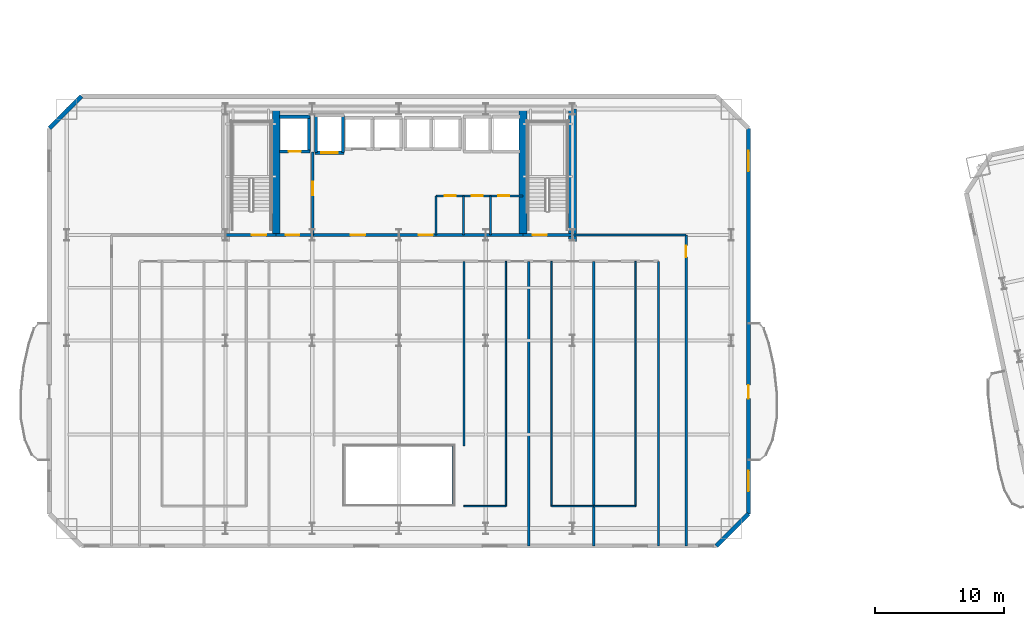
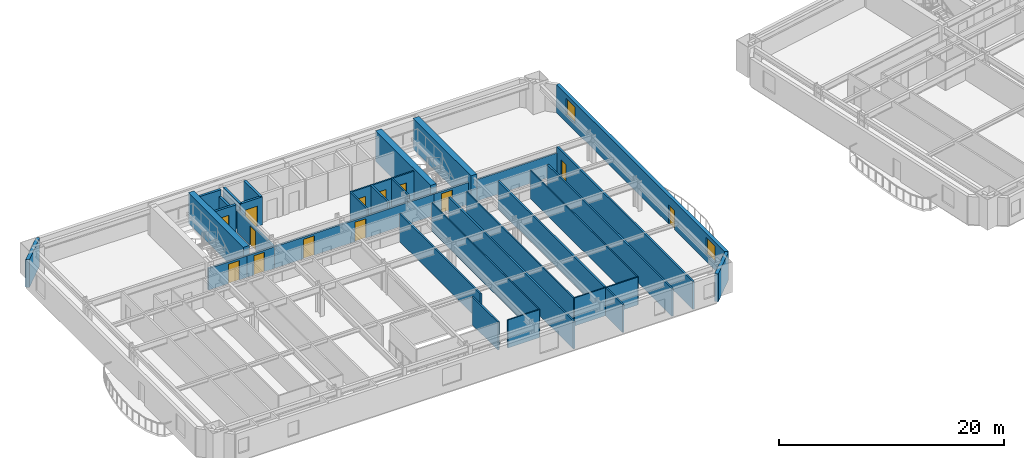
# One storey, part 6 of 17: 34 walls, 13 doors, 2 windows, 15 openings.
"""IFC4 building model written with IfcOpenShell, lengths in metres."""

import ifcopenshell
import ifcopenshell.guid

model = None  # the IFC model being written
_history = None  # IfcOwnerHistory: only IFC2X3 demands one
_inside = {}  # id of a spatial element -> (the spatial element, [elements in it])
_under = {}  # id of a project, library or spatial element -> (it, [spatial elements below it])
_declared = {}  # id of a project -> (the project, [libraries it declares])
_typed = {}  # id of a type object -> (the type object, [elements of that type])
_made_of = {}  # id of a material, layer set ... -> (it, [elements and type objects made of it])


def new_model(schema):
    """Start an empty IFC model of exactly this schema.

    Asked for "IFC4X3", IfcOpenShell would pick the latest addendum, in which some entities
    have other attributes; the version numbers below select the first issue.
    IFC2X3 requires an IfcOwnerHistory on every rooted entity: one is made here for all.
    """
    global model, _history
    if schema == "IFC4X3":
        model = ifcopenshell.file(schema_version=(4, 3, 0, 0))
    else:
        model = ifcopenshell.file(schema=schema)
    _inside.clear()
    _under.clear()
    _declared.clear()
    _typed.clear()
    _made_of.clear()
    _history = None
    if model.schema == "IFC2X3":
        org = make("IfcOrganization", Name="unknown")
        user = make(
            "IfcPersonAndOrganization",
            ThePerson=make("IfcPerson", FamilyName="unknown"),
            TheOrganization=org,
        )
        app = make(
            "IfcApplication",
            ApplicationDeveloper=org,
            Version="unknown",
            ApplicationFullName="unknown",
            ApplicationIdentifier="unknown",
        )
        _history = make(
            "IfcOwnerHistory",
            OwningUser=user,
            OwningApplication=app,
            ChangeAction="ADDED",
            CreationDate=0,
        )
    return model


def make(cls, **values):
    """One entity of the class cls with the attributes given. An attribute that is None is left unset."""
    return model.create_entity(
        cls, **{name: value for name, value in values.items() if value is not None}
    )


def rooted(cls, **values):
    """An entity with a GlobalId (a new one), such as an element, a storey or a relation."""
    return make(cls, GlobalId=ifcopenshell.guid.new(), OwnerHistory=_history, **values)


def si_unit(unit_type, name, prefix=None):
    """IfcSIUnit, for example si_unit("LENGTHUNIT", "METRE", prefix="MILLI")."""
    return make("IfcSIUnit", UnitType=unit_type, Prefix=prefix, Name=name)


def assignment(units):
    """IfcUnitAssignment: the units of a project."""
    return None if units is None else make("IfcUnitAssignment", Units=units)


def point(xyz):
    """IfcCartesianPoint."""
    return None if xyz is None else make("IfcCartesianPoint", Coordinates=xyz)


def direction(xyz):
    """IfcDirection."""
    return None if xyz is None else make("IfcDirection", DirectionRatios=xyz)


def frame(location, z_axis=None, x_axis=None):
    """IfcAxis2Placement3D, a coordinate frame: its origin and axes. An axis left out is left unset."""
    return make(
        "IfcAxis2Placement3D",
        Location=point(location),
        Axis=direction(z_axis),
        RefDirection=direction(x_axis),
    )


def frame_2d(location, x_axis=None):
    """IfcAxis2Placement2D, a coordinate frame in the plane: its origin and x axis."""
    return make(
        "IfcAxis2Placement2D", Location=point(location), RefDirection=direction(x_axis)
    )


def origin():
    """The frame at (0, 0, 0) with its axes left unset."""
    return frame((0.0, 0.0, 0.0))


def place(relative_to, where):
    """IfcLocalPlacement: puts the frame where relative to a parent placement (None: the world)."""
    return make(
        "IfcLocalPlacement", PlacementRelTo=relative_to, RelativePlacement=where
    )


def context(
    kind, dimensions, precision=None, world=None, true_north=None, identifier=None
):
    """IfcGeometricRepresentationContext, for example the 3D "Model" context."""
    return make(
        "IfcGeometricRepresentationContext",
        ContextIdentifier=identifier,
        ContextType=kind,
        CoordinateSpaceDimension=dimensions,
        Precision=precision,
        WorldCoordinateSystem=world,
        TrueNorth=true_north,
    )


def subcontext(parent, identifier, kind, view, scale=None):
    """IfcGeometricRepresentationSubContext, for example "Body" below "Model"."""
    return make(
        "IfcGeometricRepresentationSubContext",
        ContextIdentifier=identifier,
        ContextType=kind,
        ParentContext=parent,
        TargetScale=scale,
        TargetView=view,
    )


def project(units=None, contexts=None):
    """IfcProject with its units and contexts."""
    return rooted(
        "IfcProject",
        Name="project",
        RepresentationContexts=contexts,
        UnitsInContext=assignment(units),
    )


def spatial(cls, under=None, at=None, **own):
    """A site, building, storey or space (cls), placed at a placement, below another one or the project."""
    s = rooted(cls, ObjectPlacement=at, **own)
    if under is not None:
        _under.setdefault(under.id(), (under, []))[1].append(s)
    return s


def profile(cls, at=None, kind="AREA", **sizes):
    """A parametric profile (cls). Its sizes go by their IFC names, for example OverallWidth=200.0."""
    return make(cls, ProfileType=kind, Position=at, **sizes)


def rectangle(**sizes):
    """IfcRectangleProfileDef."""
    return profile("IfcRectangleProfileDef", **sizes)


def extrude(swept, where, along, depth):
    """IfcExtrudedAreaSolid: the profile swept, set in the frame where, extruded along a direction by depth."""
    return make(
        "IfcExtrudedAreaSolid",
        SweptArea=swept,
        Position=where,
        ExtrudedDirection=direction(along),
        Depth=depth,
    )


def shape(context_of_items, identifier, shape_type, items):
    """IfcShapeRepresentation: the items that make up one representation, for example the "Body"."""
    return make(
        "IfcShapeRepresentation",
        ContextOfItems=context_of_items,
        RepresentationIdentifier=identifier,
        RepresentationType=shape_type,
        Items=items,
    )


def material(Name=None, Category=None):
    """IfcMaterial."""
    return make("IfcMaterial", Name=Name, Category=Category)


def layer(
    of_material, thickness, ventilated=None, Name=None, Category=None, Priority=None
):
    """IfcMaterialLayer: one layer of a wall or slab, of a material (None: an air gap)."""
    return make(
        "IfcMaterialLayer",
        Material=of_material,
        LayerThickness=thickness,
        IsVentilated=ventilated,
        Name=Name,
        Category=Category,
        Priority=Priority,
    )


def layer_set(layers, Name=None):
    """IfcMaterialLayerSet."""
    return make("IfcMaterialLayerSet", MaterialLayers=layers, LayerSetName=Name)


def made_of(thing, what):
    """Note that an element or type object is made of a material, layer set ...; save() writes the relation."""
    if what is not None:
        _made_of.setdefault(what.id(), (what, []))[1].append(thing)
    return thing


def type_object(cls, material=None, **own):
    """A type object (cls), such as IfcWallType, which elements share."""
    return made_of(rooted(cls, **own), material)


def element(
    cls,
    number,
    at=None,
    inside=None,
    cuts=None,
    type_object=None,
    material=None,
    context=None,
    identifier="Body",
    shape_type=None,
    held_by="IfcProductDefinitionShape",
    body=None,
    shapes=None,
    **own,
):
    """One element of the class cls, such as IfcWall. Its Tag is "e" and its number.

    at: its placement. inside: the storey or other place that contains it. cuts: it is an
    opening in that element (IfcRelVoidsElement). A single representation is given by context,
    identifier, shape_type and body (its items); several are given by shapes. held_by: the class
    of the entity that holds the representations. save() writes the other relations.
    """
    e = rooted(cls, Tag="e%d" % number, ObjectPlacement=at, **own)
    if body is not None:
        shapes = [shape(context, identifier, shape_type, body)]
    if shapes is not None:
        e.Representation = make(held_by, Representations=shapes)
    if inside is not None:
        _inside.setdefault(inside.id(), (inside, []))[1].append(e)
    if cuts is not None:
        rooted(
            "IfcRelVoidsElement", RelatingBuildingElement=cuts, RelatedOpeningElement=e
        )
    if type_object is not None:
        _typed.setdefault(type_object.id(), (type_object, []))[1].append(e)
    return made_of(e, material)


def fill(opening, filler):
    """IfcRelFillsElement: the door or window that sits in an opening."""
    return rooted(
        "IfcRelFillsElement",
        RelatingOpeningElement=opening,
        RelatedBuildingElement=filler,
    )


def aggregate(whole, parts):
    """IfcRelAggregates: a whole, such as a stair, and the parts it consists of."""
    return rooted("IfcRelAggregates", RelatingObject=whole, RelatedObjects=parts)


def save(model, path):
    """Write the relations noted so far, then the file.

    IfcRelAggregates (storeys below a building ...), IfcRelContainedInSpatialStructure (elements
    in a storey), IfcRelDefinesByType, IfcRelAssociatesMaterial and IfcRelDeclares: one each for
    every whole, place, type object, material and project.
    """
    for whole, parts in _under.values():
        aggregate(whole, parts)
    for where, things in _inside.values():
        rooted(
            "IfcRelContainedInSpatialStructure",
            RelatedElements=things,
            RelatingStructure=where,
        )
    for kind, things in _typed.values():
        rooted("IfcRelDefinesByType", RelatedObjects=things, RelatingType=kind)
    for what, things in _made_of.values():
        rooted("IfcRelAssociatesMaterial", RelatedObjects=things, RelatingMaterial=what)
    for by, libraries in _declared.values():
        rooted("IfcRelDeclares", RelatingContext=by, RelatedDefinitions=libraries)
    model.write(path)


model = new_model("IFC4")

# Units and contexts
model_context = context("Model", 3, precision=1e-05, world=origin(), true_north=direction((0.0, 1.0)))
body_context = subcontext(model_context, "Body", "Model", "MODEL_VIEW")
ifc_project = project(units=[si_unit("LENGTHUNIT", "METRE"), si_unit("AREAUNIT", "SQUARE_METRE"), si_unit("VOLUMEUNIT", "CUBIC_METRE"), si_unit("PLANEANGLEUNIT", "RADIAN"), si_unit("MASSUNIT", "GRAM", prefix="KILO")], contexts=[model_context])

# Site, building, storey
site_placement = place(None, origin())
site = spatial("IfcSite", under=ifc_project, at=site_placement, CompositionType="ELEMENT")
building_placement = place(site_placement, origin())
building = spatial("IfcBuilding", under=site, at=building_placement, Name="Haevon Station Towers", CompositionType="ELEMENT")
storey_placement = place(building_placement, frame((0.0, 0.0, 33.89990234375)))
storey = spatial("IfcBuildingStorey", under=building, at=storey_placement, Name="L07", CompositionType="ELEMENT", Elevation=33.89990234375)

# Wall, opening, door
ifc_material_1 = material(Name="Gypsum board on steel stud", Category="steel")
ifc_layer_1 = layer(ifc_material_1, 0.179931640625)
ifc_layer_set_1 = layer_set([ifc_layer_1], Name="Gypsum board on steel stud")
wall_type_1 = type_object("IfcWallType", Name="WL-ACU180", PredefinedType="PARTITIONING", material=ifc_layer_set_1)
wall_1_placement = place(storey_placement, frame((59.85009765625, 14.0, 0.0), z_axis=(0.0, 0.0, 1.0), x_axis=(0.0, 1.0, 0.0)))
wall_1 = element("IfcWall", 1, at=wall_1_placement, inside=storey, type_object=wall_type_1, Name="WL-T1PT-L07-06", PredefinedType="PARTITIONING", context=body_context, shape_type="SweptSolid", body=[
    extrude(rectangle(XDim=24.199951171875, YDim=0.179931640625, at=frame_2d((12.10009765625, 0.0))), origin(), (0.0, 0.0, 1.0), 3.030029296875),
])
opening_1_placement = place(wall_1_placement, frame((22.469970703125, 0.0, 0.0)))
opening_1 = element("IfcOpeningElement", 2, at=opening_1_placement, cuts=wall_1, Name="Opening DR-WL-T1PT-L07-06-01", PredefinedType="OPENING", context=body_context, shape_type="SweptSolid", body=[
    extrude(rectangle(XDim=0.89990234375, YDim=2.050048828125, at=frame_2d((0.449951171875, 1.02490234375))), frame((0.0, 0.099853515625, 0.0), z_axis=(0.0, -1.0, 0.0), x_axis=(1.0, 0.0, 0.0)), (0.0, 0.0, 1.0), 0.199951171875),
])
ifc_material_2 = material(Name="Engineered oak timber", Category="wood")
door_type_1 = type_object("IfcDoorType", Name="DR-INT-900", OperationType="NOTDEFINED", PredefinedType="DOOR", material=ifc_material_2)
door_1_placement = place(opening_1_placement, origin())
door_1 = element("IfcDoor", 3, at=door_1_placement, inside=storey, type_object=door_type_1, Name="L07 Tower 1 Room Door 6-1", OperationType="SINGLE_SWING_RIGHT", OverallHeight=2.050048828125, OverallWidth=0.89990234375, PredefinedType="DOOR", context=body_context, shape_type="SweptSolid", body=[
    extrude(rectangle(XDim=0.89990234375, YDim=2.050048828125, at=frame_2d((0.449951171875, 1.02490234375))), frame((0.0, 0.02490234375, 0.0), z_axis=(0.0, -1.0, 0.0), x_axis=(1.0, 0.0, 0.0)), (0.0, 0.0, 1.0), 0.050048828125),
])
fill(opening_1, door_1)

# Walls
for number, where, z_axis, x_axis, name in (
    (4, (47.60009765625, 14.0, 0.0), (0.0, 0.0, 1.0), (0.0, 1.0, 0.0), "WL-T1PT-L07-24"),
    (5, (52.64990234375, 14.0, 0.0), (0.0, 0.0, 1.0), (0.0, 1.0, 0.0), "WL-T1PT-L07-27"),
):
    element("IfcWall", number, at=place(storey_placement, frame(where, z_axis=z_axis, x_axis=x_axis)), inside=storey, type_object=wall_type_1, Name=name, PredefinedType="PARTITIONING", context=body_context, shape_type="SweptSolid", body=[
        extrude(rectangle(XDim=22.14990234375, YDim=0.179931640625, at=frame_2d((11.074951171875, 0.0))), origin(), (0.0, 0.0, 1.0), 3.030029296875),
    ])

# Wall, opening, door
ifc_layer_2 = layer(ifc_material_1, 0.199951171875)
ifc_layer_set_2 = layer_set([ifc_layer_2], Name="Gypsum board on steel stud")
wall_type_2 = type_object("IfcWallType", Name="WL-COR200", PredefinedType="PARTITIONING", material=ifc_layer_set_2)
wall_2_placement = place(storey_placement, frame((24.0, 38.199951171875, 0.0), z_axis=(0.0, 0.0, 1.0), x_axis=(1.0, 0.0, 0.0)))
wall_2 = element("IfcWall", 6, at=wall_2_placement, inside=storey, type_object=wall_type_2, Name="WL-ST-ST1-L07", PredefinedType="PARTITIONING", context=body_context, shape_type="SweptSolid", body=[
    extrude(rectangle(XDim=3.949951171875, YDim=0.199951171875, at=frame_2d((1.97509765625, 0.0))), origin(), (0.0, 0.0, 1.0), 2.330078125),
])
opening_2_placement = place(wall_2_placement, frame((2.050048828125, 0.0, 0.0)))
opening_2 = element("IfcOpeningElement", 7, at=opening_2_placement, cuts=wall_2, Name="Opening DR-ST-ST1-L07", PredefinedType="OPENING", context=body_context, shape_type="SweptSolid", body=[
    extrude(rectangle(XDim=1.1201171875, YDim=2.10009765625, at=frame_2d((0.56005859375, 1.050048828125))), frame((0.0, 0.10986328125, 0.0), z_axis=(0.0, -1.0, 0.0), x_axis=(1.0, 0.0, 0.0)), (0.0, 0.0, 1.0), 0.219970703125),
])
door_type_2 = type_object("IfcDoorType", Name="DR-ST-1120", OperationType="NOTDEFINED", PredefinedType="DOOR", material=ifc_material_2)
door_2_placement = place(opening_2_placement, origin())
door_2 = element("IfcDoor", 8, at=door_2_placement, inside=storey, type_object=door_type_2, Name="L07 Escape Stair ST1 Fire Door", OperationType="SINGLE_SWING_RIGHT", OverallHeight=2.10009765625, OverallWidth=1.1201171875, PredefinedType="DOOR", context=body_context, shape_type="SweptSolid", body=[
    extrude(rectangle(XDim=1.1201171875, YDim=2.10009765625, at=frame_2d((0.56005859375, 1.050048828125))), frame((0.0, 0.02490234375, 0.0), z_axis=(0.0, -1.0, 0.0), x_axis=(1.0, 0.0, 0.0)), (0.0, 0.0, 1.0), 0.050048828125),
])
fill(opening_2, door_2)

wall_3_placement = place(storey_placement, frame((47.14990234375, 38.199951171875, 0.0), z_axis=(0.0, 0.0, 1.0), x_axis=(1.0, 0.0, 0.0)))
wall_3 = element("IfcWall", 9, at=wall_3_placement, inside=storey, type_object=wall_type_2, Name="WL-ST-ST2-L07", PredefinedType="PARTITIONING", context=body_context, shape_type="SweptSolid", body=[
    extrude(rectangle(XDim=3.85009765625, YDim=0.199951171875, at=frame_2d((1.925048828125, 0.0))), origin(), (0.0, 0.0, 1.0), 2.330078125),
])
opening_3_placement = place(wall_3_placement, frame((0.75, 0.0, 0.0)))
opening_3 = element("IfcOpeningElement", 10, at=opening_3_placement, cuts=wall_3, Name="Opening DR-ST-ST2-L07", PredefinedType="OPENING", context=body_context, shape_type="SweptSolid", body=[
    extrude(rectangle(XDim=1.1201171875, YDim=2.10009765625, at=frame_2d((0.56005859375, 1.050048828125))), frame((0.0, 0.10986328125, 0.0), z_axis=(0.0, -1.0, 0.0), x_axis=(1.0, 0.0, 0.0)), (0.0, 0.0, 1.0), 0.219970703125),
])
door_3_placement = place(opening_3_placement, origin())
door_3 = element("IfcDoor", 11, at=door_3_placement, inside=storey, type_object=door_type_2, Name="L07 Escape Stair ST2 Fire Door", OperationType="SINGLE_SWING_LEFT", OverallHeight=2.10009765625, OverallWidth=1.1201171875, PredefinedType="DOOR", context=body_context, shape_type="SweptSolid", body=[
    extrude(rectangle(XDim=1.1201171875, YDim=2.10009765625, at=frame_2d((0.56005859375, 1.050048828125))), frame((0.0, 0.02490234375, 0.0), z_axis=(0.0, -1.0, 0.0), x_axis=(1.0, 0.0, 0.0)), (0.0, 0.0, 1.0), 0.050048828125),
])
fill(opening_3, door_3)

wall_4_placement = place(storey_placement, frame((30.800048828125, 38.199951171875, 0.0), z_axis=(0.0, 0.0, 1.0), x_axis=(0.0, 1.0, 0.0)))
wall_4 = element("IfcWall", 12, at=wall_4_placement, inside=storey, type_object=wall_type_2, Name="WL-T1FFL-L07-E", PredefinedType="PARTITIONING", context=body_context, shape_type="SweptSolid", body=[
    extrude(rectangle(XDim=6.449951171875, YDim=0.199951171875, at=frame_2d((3.22509765625, 0.0))), origin(), (0.0, 0.0, 1.0), 2.330078125),
])
opening_4_placement = place(wall_4_placement, frame((3.10009765625, 0.0, 0.0)))
opening_4 = element("IfcOpeningElement", 13, at=opening_4_placement, cuts=wall_4, Name="Opening DR-T1FFL-L07-E", PredefinedType="OPENING", context=body_context, shape_type="SweptSolid", body=[
    extrude(rectangle(XDim=1.050048828125, YDim=2.10009765625, at=frame_2d((0.52490234375, 1.050048828125))), frame((0.0, 0.10986328125, 0.0), z_axis=(0.0, -1.0, 0.0), x_axis=(1.0, 0.0, 0.0)), (0.0, 0.0, 1.0), 0.219970703125),
])
door_type_3 = type_object("IfcDoorType", Name="DR-FD60-1050", OperationType="NOTDEFINED", PredefinedType="DOOR", material=ifc_material_2)
door_4_placement = place(opening_4_placement, origin())
door_4 = element("IfcDoor", 14, at=door_4_placement, inside=storey, type_object=door_type_3, Name="L07 Tower 1 Firefighting Lift Lobby Door E", OperationType="SINGLE_SWING_RIGHT", OverallHeight=2.10009765625, OverallWidth=1.050048828125, PredefinedType="DOOR", context=body_context, shape_type="SweptSolid", body=[
    extrude(rectangle(XDim=1.050048828125, YDim=2.10009765625, at=frame_2d((0.52490234375, 1.050048828125))), frame((0.0, 0.02490234375, 0.0), z_axis=(0.0, -1.0, 0.0), x_axis=(1.0, 0.0, 0.0)), (0.0, 0.0, 1.0), 0.050048828125),
])
fill(opening_4, door_4)

wall_5_placement = place(storey_placement, frame((27.949951171875, 38.199951171875, 0.0), z_axis=(0.0, 0.0, 1.0), x_axis=(1.0, 0.0, 0.0)))
wall_5 = element("IfcWall", 15, at=wall_5_placement, inside=storey, type_object=wall_type_2, Name="WL-T1FFL-L07-S", PredefinedType="PARTITIONING", context=body_context, shape_type="SweptSolid", body=[
    extrude(rectangle(XDim=2.85009765625, YDim=0.199951171875, at=frame_2d((1.425048828125, 0.0))), origin(), (0.0, 0.0, 1.0), 2.330078125),
])
opening_5_placement = place(wall_5_placement, frame((0.75, 0.0, 0.0)))
opening_5 = element("IfcOpeningElement", 16, at=opening_5_placement, cuts=wall_5, Name="Opening DR-T1FFL-L07-S", PredefinedType="OPENING", context=body_context, shape_type="SweptSolid", body=[
    extrude(rectangle(XDim=1.050048828125, YDim=2.10009765625, at=frame_2d((0.52490234375, 1.050048828125))), frame((0.0, 0.10986328125, 0.0), z_axis=(0.0, -1.0, 0.0), x_axis=(1.0, 0.0, 0.0)), (0.0, 0.0, 1.0), 0.219970703125),
])
door_5_placement = place(opening_5_placement, origin())
door_5 = element("IfcDoor", 17, at=door_5_placement, inside=storey, type_object=door_type_3, Name="L07 Tower 1 Firefighting Lift Lobby Door S", OperationType="SINGLE_SWING_LEFT", OverallHeight=2.10009765625, OverallWidth=1.050048828125, PredefinedType="DOOR", context=body_context, shape_type="SweptSolid", body=[
    extrude(rectangle(XDim=1.050048828125, YDim=2.10009765625, at=frame_2d((0.52490234375, 1.050048828125))), frame((0.0, 0.02490234375, 0.0), z_axis=(0.0, -1.0, 0.0), x_axis=(1.0, 0.0, 0.0)), (0.0, 0.0, 1.0), 0.050048828125),
])
fill(opening_5, door_5)

# Wall, openings, doors
wall_6_placement = place(storey_placement, frame((30.800048828125, 38.199951171875, 0.0), z_axis=(0.0, 0.0, 1.0), x_axis=(1.0, 0.0, 0.0)))
wall_6 = element("IfcWall", 18, at=wall_6_placement, inside=storey, type_object=wall_type_2, Name="WL-T1CLB-L07", PredefinedType="PARTITIONING", context=body_context, shape_type="SweptSolid", body=[
    extrude(rectangle(XDim=16.349853515625, YDim=0.199951171875, at=frame_2d((8.1748046875, 0.0))), origin(), (0.0, 0.0, 1.0), 2.330078125),
])
opening_6_placement = place(wall_6_placement, frame((2.949951171875, 0.0, 0.0)))
opening_6 = element("IfcOpeningElement", 19, at=opening_6_placement, cuts=wall_6, Name="Opening DR-T1CLB-L07-1", PredefinedType="OPENING", context=body_context, shape_type="SweptSolid", body=[
    extrude(rectangle(XDim=1.1201171875, YDim=2.10009765625, at=frame_2d((0.56005859375, 1.050048828125))), frame((0.0, 0.10986328125, 0.0), z_axis=(0.0, -1.0, 0.0), x_axis=(1.0, 0.0, 0.0)), (0.0, 0.0, 1.0), 0.219970703125),
])
opening_7_placement = place(wall_6_placement, frame((8.22998046875, 0.0, 0.0)))
opening_7 = element("IfcOpeningElement", 20, at=opening_7_placement, cuts=wall_6, Name="Opening DR-T1CLB-L07-2", PredefinedType="OPENING", context=body_context, shape_type="SweptSolid", body=[
    extrude(rectangle(XDim=1.1201171875, YDim=2.10009765625, at=frame_2d((0.56005859375, 1.050048828125))), frame((0.0, 0.10986328125, 0.0), z_axis=(0.0, -1.0, 0.0), x_axis=(1.0, 0.0, 0.0)), (0.0, 0.0, 1.0), 0.219970703125),
])
door_6_placement = place(opening_6_placement, origin())
door_6 = element("IfcDoor", 21, at=door_6_placement, inside=storey, type_object=door_type_2, Name="L07 Tower 1 Core Lift Lobby Door 1", OperationType="SINGLE_SWING_RIGHT", OverallHeight=2.10009765625, OverallWidth=1.1201171875, PredefinedType="DOOR", context=body_context, shape_type="SweptSolid", body=[
    extrude(rectangle(XDim=1.1201171875, YDim=2.10009765625, at=frame_2d((0.56005859375, 1.050048828125))), frame((0.0, 0.02490234375, 0.0), z_axis=(0.0, -1.0, 0.0), x_axis=(1.0, 0.0, 0.0)), (0.0, 0.0, 1.0), 0.050048828125),
])
fill(opening_6, door_6)
door_7_placement = place(opening_7_placement, origin())
door_7 = element("IfcDoor", 22, at=door_7_placement, inside=storey, type_object=door_type_2, Name="L07 Tower 1 Core Lift Lobby Door 2", OperationType="SINGLE_SWING_LEFT", OverallHeight=2.10009765625, OverallWidth=1.1201171875, PredefinedType="DOOR", context=body_context, shape_type="SweptSolid", body=[
    extrude(rectangle(XDim=1.1201171875, YDim=2.10009765625, at=frame_2d((0.56005859375, 1.050048828125))), frame((0.0, 0.02490234375, 0.0), z_axis=(0.0, -1.0, 0.0), x_axis=(1.0, 0.0, 0.0)), (0.0, 0.0, 1.0), 0.050048828125),
])
fill(opening_7, door_7)

# Walls
ifc_material_3 = material(Name="Concrete C60/75", Category="concrete")
ifc_layer_3 = layer(ifc_material_3, 0.60009765625)
ifc_layer_set_3 = layer_set([ifc_layer_3], Name="Concrete C60/75")
wall_type_3 = type_object("IfcWallType", Name="WL-CR600", PredefinedType="SHEAR", material=ifc_layer_set_3)
wall_7_placement = place(storey_placement, frame((51.0, 37.679931640625, 0.0), z_axis=(0.0, 0.0, 1.0), x_axis=(0.0, 1.0, 0.0)))
element("IfcWall", 23, at=wall_7_placement, inside=storey, type_object=wall_type_3, Name="WL-T1CR-L07-E", PredefinedType="SHEAR", context=body_context, shape_type="SweptSolid", body=[
    extrude(rectangle(XDim=10.320068359375, YDim=0.60009765625, at=frame_2d((5.16015625, 0.0))), origin(), (0.0, 0.0, 1.0), 3.300048828125),
])
for number, where, z_axis, x_axis, name in (
    (24, (27.949951171875, 38.199951171875, 0.0), (0.0, 0.0, 1.0), (0.0, 1.0, 0.0), "WL-T1CR-L07-M1"),
    (25, (47.14990234375, 38.199951171875, 0.0), (0.0, 0.0, 1.0), (0.0, 1.0, 0.0), "WL-T1CR-L07-M2"),
):
    element("IfcWall", number, at=place(storey_placement, frame(where, z_axis=z_axis, x_axis=x_axis)), inside=storey, type_object=wall_type_3, Name=name, PredefinedType="SHEAR", context=body_context, shape_type="SweptSolid", body=[
        extrude(rectangle(XDim=9.800048828125, YDim=0.60009765625, at=frame_2d((4.89990234375, 0.0))), origin(), (0.0, 0.0, 1.0), 3.300048828125),
    ])
ifc_material_4 = material(Name="Precast concrete C45/55", Category="concrete")
ifc_layer_4 = layer(ifc_material_4, 0.340087890625)
ifc_layer_set_4 = layer_set([ifc_layer_4], Name="Precast concrete C45/55")
wall_type_4 = type_object("IfcWallType", Name="WL-EXT-PIER340", PredefinedType="SOLIDWALL", material=ifc_layer_set_4)
wall_8_placement = place(storey_placement, frame((10.300048828125, 46.5, 0.0), z_axis=(0.0, 0.0, 1.0), x_axis=(0.707106781187, 0.707106781187, 0.0)))
element("IfcWall", 26, at=wall_8_placement, inside=storey, type_object=wall_type_4, Name="WL-T1-L07-NWC", PredefinedType="SOLIDWALL", context=body_context, shape_type="SweptSolid", body=[
    extrude(rectangle(XDim=3.53564453125, YDim=0.340087890625, at=frame_2d((1.767822265625, 0.0))), origin(), (0.0, 0.0, 1.0), 3.030029296875),
])

# Wall, openings, door, windows
wall_9_placement = place(storey_placement, frame((64.699951171875, 46.5, 0.0), z_axis=(0.0, 0.0, 1.0), x_axis=(0.0, -1.0, 0.0)))
wall_9 = element("IfcWall", 27, at=wall_9_placement, inside=storey, type_object=wall_type_4, Name="WL-T1-L07-E", PredefinedType="SOLIDWALL", context=body_context, shape_type="SweptSolid", body=[
    extrude(rectangle(XDim=30.0, YDim=0.340087890625, at=frame_2d((15.0, 0.0))), origin(), (0.0, 0.0, 1.0), 3.030029296875),
])
opening_8_placement = place(wall_9_placement, frame((19.97509765625, 0.0, 0.0)))
opening_8 = element("IfcOpeningElement", 28, at=opening_8_placement, cuts=wall_9, Name="Opening DR-T1-SCAL-L07-E", PredefinedType="OPENING", context=body_context, shape_type="SweptSolid", body=[
    extrude(rectangle(XDim=1.050048828125, YDim=2.10009765625, at=frame_2d((0.52490234375, 1.050048828125))), frame((0.0, 0.179931640625, 0.0), z_axis=(0.0, -1.0, 0.0), x_axis=(1.0, 0.0, 0.0)), (0.0, 0.0, 1.0), 0.360107421875),
])
opening_9_placement = place(wall_9_placement, frame((1.757080078125, 0.0, 0.800048828125)))
opening_9 = element("IfcOpeningElement", 29, at=opening_9_placement, cuts=wall_9, Name="Opening WN-END160", PredefinedType="OPENING", context=body_context, shape_type="SweptSolid", body=[
    extrude(rectangle(XDim=1.60009765625, YDim=1.800048828125, at=frame_2d((0.800048828125, 0.89990234375))), frame((0.0, 0.179931640625, 0.0), z_axis=(0.0, -1.0, 0.0), x_axis=(1.0, 0.0, 0.0)), (0.0, 0.0, 1.0), 0.360107421875),
])
opening_10_placement = place(wall_9_placement, frame((26.642822265625, 0.0, 0.800048828125)))
opening_10 = element("IfcOpeningElement", 30, at=opening_10_placement, cuts=wall_9, Name="Opening WN-END160", PredefinedType="OPENING", context=body_context, shape_type="SweptSolid", body=[
    extrude(rectangle(XDim=1.60009765625, YDim=1.800048828125, at=frame_2d((0.800048828125, 0.89990234375))), frame((0.0, 0.179931640625, 0.0), z_axis=(0.0, -1.0, 0.0), x_axis=(1.0, 0.0, 0.0)), (0.0, 0.0, 1.0), 0.360107421875),
])
ifc_material_5 = material(Name="Thermally broken anodised aluminium and laminated safety glass", Category="aluminium")
door_type_4 = type_object("IfcDoorType", Name="DR-BALC-1050", OperationType="NOTDEFINED", PredefinedType="DOOR", material=ifc_material_5)
door_8_placement = place(opening_8_placement, origin())
door_8 = element("IfcDoor", 31, at=door_8_placement, inside=storey, type_object=door_type_4, Name="Tower 1 L07 East Scalloped Balcony Door", OperationType="SINGLE_SWING_LEFT", OverallHeight=2.10009765625, OverallWidth=1.050048828125, PredefinedType="DOOR", context=body_context, shape_type="SweptSolid", body=[
    extrude(rectangle(XDim=1.050048828125, YDim=2.10009765625, at=frame_2d((0.52490234375, 1.050048828125))), frame((0.0, 0.02490234375, 0.0), z_axis=(0.0, -1.0, 0.0), x_axis=(1.0, 0.0, 0.0)), (0.0, 0.0, 1.0), 0.050048828125),
])
fill(opening_8, door_8)
ifc_material_6 = material(Name="Low-E triple glazing in thermally broken aluminium", Category="aluminium")
window_type = type_object("IfcWindowType", Name="WN-END160", PartitioningType="SINGLE_PANEL", PredefinedType="WINDOW", material=ifc_material_6)
window_1_placement = place(opening_9_placement, origin())
window_1 = element("IfcWindow", 32, at=window_1_placement, inside=storey, type_object=window_type, Name="WN-T1-L07-E01", OverallHeight=1.800048828125, OverallWidth=1.60009765625, PartitioningType="SINGLE_PANEL", PredefinedType="WINDOW", context=body_context, shape_type="SweptSolid", body=[
    extrude(rectangle(XDim=1.60009765625, YDim=1.800048828125, at=frame_2d((0.800048828125, 0.89990234375))), frame((0.0, 0.030029296875, 0.0), z_axis=(0.0, -1.0, 0.0), x_axis=(1.0, 0.0, 0.0)), (0.0, 0.0, 1.0), 0.06005859375),
])
fill(opening_9, window_1)
window_2_placement = place(opening_10_placement, origin())
window_2 = element("IfcWindow", 33, at=window_2_placement, inside=storey, type_object=window_type, Name="WN-T1-L07-E02", OverallHeight=1.800048828125, OverallWidth=1.60009765625, PartitioningType="SINGLE_PANEL", PredefinedType="WINDOW", context=body_context, shape_type="SweptSolid", body=[
    extrude(rectangle(XDim=1.60009765625, YDim=1.800048828125, at=frame_2d((0.800048828125, 0.89990234375))), frame((0.0, 0.030029296875, 0.0), z_axis=(0.0, -1.0, 0.0), x_axis=(1.0, 0.0, 0.0)), (0.0, 0.0, 1.0), 0.06005859375),
])
fill(opening_10, window_2)

# Walls
wall_10_placement = place(storey_placement, frame((64.699951171875, 16.5, 0.0), z_axis=(0.0, 0.0, 1.0), x_axis=(-0.707106781187, -0.707106781187, 0.0)))
element("IfcWall", 34, at=wall_10_placement, inside=storey, type_object=wall_type_4, Name="WL-T1-L07-SEC", PredefinedType="SOLIDWALL", context=body_context, shape_type="SweptSolid", body=[
    extrude(rectangle(XDim=3.53564453125, YDim=0.340087890625, at=frame_2d((1.767822265625, 0.0))), origin(), (0.0, 0.0, 1.0), 3.030029296875),
])
ifc_layer_5 = layer(ifc_material_1, 0.125)
ifc_layer_set_5 = layer_set([ifc_layer_5], Name="Gypsum board on steel stud")
wall_type_5 = type_object("IfcWallType", Name="WL-PRT125", PredefinedType="PARTITIONING", material=ifc_layer_set_5)
wall_11_placement = place(storey_placement, frame((42.550048828125, 17.10009765625, 0.0), z_axis=(0.0, 0.0, 1.0), x_axis=(1.0, 0.0, 0.0)))
element("IfcWall", 35, at=wall_11_placement, inside=storey, type_object=wall_type_5, Name="WL-T1PT-L07-22", PredefinedType="PARTITIONING", context=body_context, shape_type="SweptSolid", body=[
    extrude(rectangle(XDim=3.27001953125, YDim=0.125, at=frame_2d((1.635009765625, 0.0))), origin(), (0.0, 0.0, 1.0), 3.030029296875),
])
wall_12_placement = place(storey_placement, frame((45.820068359375, 17.10009765625, 0.0), z_axis=(0.0, 0.0, 1.0), x_axis=(0.0, 1.0, 0.0)))
element("IfcWall", 36, at=wall_12_placement, inside=storey, type_object=wall_type_5, Name="WL-T1PT-L07-23", PredefinedType="PARTITIONING", context=body_context, shape_type="SweptSolid", body=[
    extrude(rectangle(XDim=19.0498046875, YDim=0.125, at=frame_2d((9.52490234375, 0.0))), origin(), (0.0, 0.0, 1.0), 3.030029296875),
])
wall_13_placement = place(storey_placement, frame((49.3798828125, 17.10009765625, 0.0), z_axis=(0.0, 0.0, 1.0), x_axis=(1.0, 0.0, 0.0)))
element("IfcWall", 37, at=wall_13_placement, inside=storey, type_object=wall_type_5, Name="WL-T1PT-L07-25", PredefinedType="PARTITIONING", context=body_context, shape_type="SweptSolid", body=[
    extrude(rectangle(XDim=3.27001953125, YDim=0.125, at=frame_2d((1.635009765625, 0.0))), origin(), (0.0, 0.0, 1.0), 3.030029296875),
])
wall_14_placement = place(storey_placement, frame((49.3798828125, 17.10009765625, 0.0), z_axis=(0.0, 0.0, 1.0), x_axis=(0.0, 1.0, 0.0)))
element("IfcWall", 38, at=wall_14_placement, inside=storey, type_object=wall_type_5, Name="WL-T1PT-L07-26", PredefinedType="PARTITIONING", context=body_context, shape_type="SweptSolid", body=[
    extrude(rectangle(XDim=19.0498046875, YDim=0.125, at=frame_2d((9.52490234375, 0.0))), origin(), (0.0, 0.0, 1.0), 3.030029296875),
])
wall_15_placement = place(storey_placement, frame((52.64990234375, 17.10009765625, 0.0), z_axis=(0.0, 0.0, 1.0), x_axis=(1.0, 0.0, 0.0)))
element("IfcWall", 39, at=wall_15_placement, inside=storey, type_object=wall_type_5, Name="WL-T1PT-L07-28", PredefinedType="PARTITIONING", context=body_context, shape_type="SweptSolid", body=[
    extrude(rectangle(XDim=3.27001953125, YDim=0.125, at=frame_2d((1.635009765625, 0.0))), origin(), (0.0, 0.0, 1.0), 3.030029296875),
])
wall_16_placement = place(storey_placement, frame((55.919921875, 17.10009765625, 0.0), z_axis=(0.0, 0.0, 1.0), x_axis=(0.0, 1.0, 0.0)))
element("IfcWall", 40, at=wall_16_placement, inside=storey, type_object=wall_type_5, Name="WL-T1PT-L07-29", PredefinedType="PARTITIONING", context=body_context, shape_type="SweptSolid", body=[
    extrude(rectangle(XDim=19.0498046875, YDim=0.125, at=frame_2d((9.52490234375, 0.0))), origin(), (0.0, 0.0, 1.0), 3.030029296875),
])
ifc_layer_6 = layer(ifc_material_1, 0.159912109375)
ifc_layer_set_6 = layer_set([ifc_layer_6], Name="Gypsum board on steel stud")
wall_type_6 = type_object("IfcWallType", Name="WL-PRT160", PredefinedType="PARTITIONING", material=ifc_layer_set_6)
for number, where, z_axis, x_axis, name in (
    (41, (40.39990234375, 38.199951171875, 0.0), (0.0, 0.0, 1.0), (0.0, 1.0, 0.0), "WL-T1CW-L07-01"),
    (42, (42.530029296875, 38.199951171875, 0.0), (0.0, 0.0, 1.0), (0.0, 1.0, 0.0), "WL-T1CW-L07-02"),
    (43, (44.6298828125, 38.199951171875, 0.0), (0.0, 0.0, 1.0), (0.0, 1.0, 0.0), "WL-T1CW-L07-03"),
):
    element("IfcWall", number, at=place(storey_placement, frame(where, z_axis=z_axis, x_axis=x_axis)), inside=storey, type_object=wall_type_6, Name=name, PredefinedType="PARTITIONING", context=body_context, shape_type="SweptSolid", body=[
        extrude(rectangle(XDim=3.050048828125, YDim=0.159912109375, at=frame_2d((1.52490234375, 0.0))), origin(), (0.0, 0.0, 1.0), 3.030029296875),
    ])

# Wall, openings, doors
wall_17_placement = place(storey_placement, frame((40.39990234375, 41.25, 0.0), z_axis=(0.0, 0.0, 1.0), x_axis=(1.0, 0.0, 0.0)))
wall_17 = element("IfcWall", 44, at=wall_17_placement, inside=storey, type_object=wall_type_6, Name="WL-T1CW-L07-04", PredefinedType="PARTITIONING", context=body_context, shape_type="SweptSolid", body=[
    extrude(rectangle(XDim=6.75, YDim=0.159912109375, at=frame_2d((3.375, 0.0))), origin(), (0.0, 0.0, 1.0), 3.030029296875),
])
opening_11_placement = place(wall_17_placement, frame((0.659912109375, 0.0, 0.0)))
opening_11 = element("IfcOpeningElement", 45, at=opening_11_placement, cuts=wall_17, Name="Opening DR-WL-T1CW-L07-04-1", PredefinedType="OPENING", context=body_context, shape_type="SweptSolid", body=[
    extrude(rectangle(XDim=0.85009765625, YDim=2.050048828125, at=frame_2d((0.425048828125, 1.02490234375))), frame((0.0, 0.08984375, 0.0), z_axis=(0.0, -1.0, 0.0), x_axis=(1.0, 0.0, 0.0)), (0.0, 0.0, 1.0), 0.179931640625),
])
opening_12_placement = place(wall_17_placement, frame((2.7548828125, 0.0, 0.0)))
opening_12 = element("IfcOpeningElement", 46, at=opening_12_placement, cuts=wall_17, Name="Opening DR-WL-T1CW-L07-04-2", PredefinedType="OPENING", context=body_context, shape_type="SweptSolid", body=[
    extrude(rectangle(XDim=0.85009765625, YDim=2.050048828125, at=frame_2d((0.425048828125, 1.02490234375))), frame((0.0, 0.08984375, 0.0), z_axis=(0.0, -1.0, 0.0), x_axis=(1.0, 0.0, 0.0)), (0.0, 0.0, 1.0), 0.179931640625),
])
opening_13_placement = place(wall_17_placement, frame((4.830078125, 0.0, 0.0)))
opening_13 = element("IfcOpeningElement", 47, at=opening_13_placement, cuts=wall_17, Name="Opening DR-WL-T1CW-L07-04-3", PredefinedType="OPENING", context=body_context, shape_type="SweptSolid", body=[
    extrude(rectangle(XDim=0.85009765625, YDim=2.050048828125, at=frame_2d((0.425048828125, 1.02490234375))), frame((0.0, 0.08984375, 0.0), z_axis=(0.0, -1.0, 0.0), x_axis=(1.0, 0.0, 0.0)), (0.0, 0.0, 1.0), 0.179931640625),
])
door_type_5 = type_object("IfcDoorType", Name="DR-FD30-850", OperationType="NOTDEFINED", PredefinedType="DOOR", material=ifc_material_2)
door_9_placement = place(opening_11_placement, origin())
door_9 = element("IfcDoor", 48, at=door_9_placement, inside=storey, type_object=door_type_5, Name="L07 Tower 1 Core Room Door 4-1", OperationType="SINGLE_SWING_RIGHT", OverallHeight=2.050048828125, OverallWidth=0.85009765625, PredefinedType="DOOR", context=body_context, shape_type="SweptSolid", body=[
    extrude(rectangle(XDim=0.85009765625, YDim=2.050048828125, at=frame_2d((0.425048828125, 1.02490234375))), frame((0.0, 0.02490234375, 0.0), z_axis=(0.0, -1.0, 0.0), x_axis=(1.0, 0.0, 0.0)), (0.0, 0.0, 1.0), 0.050048828125),
])
fill(opening_11, door_9)
door_10_placement = place(opening_12_placement, origin())
door_10 = element("IfcDoor", 49, at=door_10_placement, inside=storey, type_object=door_type_5, Name="L07 Tower 1 Core Room Door 4-2", OperationType="SINGLE_SWING_LEFT", OverallHeight=2.050048828125, OverallWidth=0.85009765625, PredefinedType="DOOR", context=body_context, shape_type="SweptSolid", body=[
    extrude(rectangle(XDim=0.85009765625, YDim=2.050048828125, at=frame_2d((0.425048828125, 1.02490234375))), frame((0.0, 0.02490234375, 0.0), z_axis=(0.0, -1.0, 0.0), x_axis=(1.0, 0.0, 0.0)), (0.0, 0.0, 1.0), 0.050048828125),
])
fill(opening_12, door_10)
door_11_placement = place(opening_13_placement, origin())
door_11 = element("IfcDoor", 50, at=door_11_placement, inside=storey, type_object=door_type_5, Name="L07 Tower 1 Core Room Door 4-3", OperationType="SINGLE_SWING_RIGHT", OverallHeight=2.050048828125, OverallWidth=0.85009765625, PredefinedType="DOOR", context=body_context, shape_type="SweptSolid", body=[
    extrude(rectangle(XDim=0.85009765625, YDim=2.050048828125, at=frame_2d((0.425048828125, 1.02490234375))), frame((0.0, 0.02490234375, 0.0), z_axis=(0.0, -1.0, 0.0), x_axis=(1.0, 0.0, 0.0)), (0.0, 0.0, 1.0), 0.050048828125),
])
fill(opening_13, door_11)

# Walls
wall_18_placement = place(storey_placement, frame((57.699951171875, 14.0, 0.0), z_axis=(0.0, 0.0, 1.0), x_axis=(0.0, 1.0, 0.0)))
element("IfcWall", 51, at=wall_18_placement, inside=storey, type_object=wall_type_6, Name="WL-T1PT-L07-02", PredefinedType="PARTITIONING", context=body_context, shape_type="SweptSolid", body=[
    extrude(rectangle(XDim=22.14990234375, YDim=0.159912109375, at=frame_2d((11.074951171875, 0.0))), origin(), (0.0, 0.0, 1.0), 3.030029296875),
])
wall_19_placement = place(storey_placement, frame((51.0, 38.199951171875, 0.0), z_axis=(0.0, 0.0, 1.0), x_axis=(1.0, 0.0, 0.0)))
element("IfcWall", 52, at=wall_19_placement, inside=storey, type_object=wall_type_6, Name="WL-T1PT-L07-04", PredefinedType="PARTITIONING", context=body_context, shape_type="SweptSolid", body=[
    extrude(rectangle(XDim=8.85009765625, YDim=0.159912109375, at=frame_2d((4.425048828125, 0.0))), origin(), (0.0, 0.0, 1.0), 2.330078125),
])
wall_20_placement = place(storey_placement, frame((41.699951171875, 17.199951171875, 0.0), z_axis=(0.0, 0.0, 1.0), x_axis=(0.0, 1.0, 0.0)))
element("IfcWall", 53, at=wall_20_placement, inside=storey, type_object=wall_type_6, Name="WL-T1PT-L07-10", PredefinedType="PARTITIONING", context=body_context, shape_type="SweptSolid", body=[
    extrude(rectangle(XDim=4.60009765625, YDim=0.159912109375, at=frame_2d((2.300048828125, 0.0))), origin(), (0.0, 0.0, 1.0), 3.030029296875),
])
wall_21_placement = place(storey_placement, frame((42.550048828125, 21.800048828125, 0.0), z_axis=(0.0, 0.0, 1.0), x_axis=(0.0, 1.0, 0.0)))
element("IfcWall", 54, at=wall_21_placement, inside=storey, type_object=wall_type_6, Name="WL-T1PT-L07-20", PredefinedType="PARTITIONING", context=body_context, shape_type="SweptSolid", body=[
    extrude(rectangle(XDim=14.349853515625, YDim=0.159912109375, at=frame_2d((7.1748046875, 0.0))), origin(), (0.0, 0.0, 1.0), 3.030029296875),
])

# Wall, opening, door
ifc_material_7 = material(Name="Concrete C40/50", Category="concrete")
ifc_layer_7 = layer(ifc_material_7, 0.239990234375)
ifc_layer_set_7 = layer_set([ifc_layer_7], Name="Concrete C40/50")
wall_type_7 = type_object("IfcWallType", Name="WL-SHF240", PredefinedType="PARTITIONING", material=ifc_layer_set_7)
wall_22_placement = place(storey_placement, frame((28.219970703125, 44.699951171875, 0.0), z_axis=(0.0, 0.0, 1.0), x_axis=(1.0, 0.0, 0.0)))
wall_22 = element("IfcWall", 55, at=wall_22_placement, inside=storey, type_object=wall_type_7, Name="WL-SHF-FL1-L07", PredefinedType="PARTITIONING", context=body_context, shape_type="SweptSolid", body=[
    extrude(rectangle(XDim=2.360107421875, YDim=0.239990234375, at=frame_2d((1.18017578125, 0.0))), origin(), (0.0, 0.0, 1.0), 3.030029296875),
])
opening_14_placement = place(wall_22_placement, frame((0.705078125, 0.0, 0.0)))
opening_14 = element("IfcOpeningElement", 56, at=opening_14_placement, cuts=wall_22, Name="Opening LD-FL1-L07", PredefinedType="OPENING", context=body_context, shape_type="SweptSolid", body=[
    extrude(rectangle(XDim=0.949951171875, YDim=2.14990234375, at=frame_2d((0.47509765625, 1.074951171875))), frame((0.0, 0.1298828125, 0.0), z_axis=(0.0, -1.0, 0.0), x_axis=(1.0, 0.0, 0.0)), (0.0, 0.0, 1.0), 0.260009765625),
])
ifc_material_8 = material(Name="Stainless steel and rated core", Category="steel")
door_type_6 = type_object("IfcDoorType", Name="LD-FL950", OperationType="SLIDING_TO_LEFT", PredefinedType="DOOR", material=ifc_material_8)
door_12_placement = place(opening_14_placement, origin())
door_12 = element("IfcDoor", 57, at=door_12_placement, inside=storey, type_object=door_type_6, Name="L07 Lift FL1 Sliding Landing Door", OperationType="SLIDING_TO_LEFT", OverallHeight=2.14990234375, OverallWidth=0.949951171875, PredefinedType="DOOR", context=body_context, shape_type="SweptSolid", body=[
    extrude(rectangle(XDim=0.949951171875, YDim=2.14990234375, at=frame_2d((0.47509765625, 1.074951171875))), frame((0.0, 0.02490234375, 0.0), z_axis=(0.0, -1.0, 0.0), x_axis=(1.0, 0.0, 0.0)), (0.0, 0.0, 1.0), 0.050048828125),
])
fill(opening_14, door_12)

# Walls
wall_23_placement = place(storey_placement, frame((28.219970703125, 47.39990234375, 0.0), z_axis=(0.0, 0.0, 1.0), x_axis=(1.0, 0.0, 0.0)))
element("IfcWall", 58, at=wall_23_placement, inside=storey, type_object=wall_type_7, Name="WL-SHF-FL1-L07-N", PredefinedType="PARTITIONING", context=body_context, shape_type="SweptSolid", body=[
    extrude(rectangle(XDim=2.360107421875, YDim=0.239990234375, at=frame_2d((1.18017578125, 0.0))), origin(), (0.0, 0.0, 1.0), 3.030029296875),
])
wall_24_placement = place(storey_placement, frame((30.5, 44.699951171875, 0.0), z_axis=(0.0, 0.0, 1.0), x_axis=(0.0, 1.0, 0.0)))
element("IfcWall", 59, at=wall_24_placement, inside=storey, type_object=wall_type_7, Name="WL-SHF-FL1-L07-E", PredefinedType="PARTITIONING", context=body_context, shape_type="SweptSolid", body=[
    extrude(rectangle(XDim=2.699951171875, YDim=0.239990234375, at=frame_2d((1.35009765625, 0.0))), origin(), (0.0, 0.0, 1.0), 2.330078125),
])

# Wall, opening, door
wall_25_placement = place(storey_placement, frame((30.969970703125, 44.60009765625, 0.0), z_axis=(0.0, 0.0, 1.0), x_axis=(1.0, 0.0, 0.0)))
wall_25 = element("IfcWall", 60, at=wall_25_placement, inside=storey, type_object=wall_type_7, Name="WL-SHF-SL1-L07", PredefinedType="PARTITIONING", context=body_context, shape_type="SweptSolid", body=[
    extrude(rectangle(XDim=2.260009765625, YDim=0.239990234375, at=frame_2d((1.1298828125, 0.0))), origin(), (0.0, 0.0, 1.0), 3.030029296875),
])
opening_15_placement = place(wall_25_placement, frame((0.5048828125, 0.0, 0.0)))
opening_15 = element("IfcOpeningElement", 61, at=opening_15_placement, cuts=wall_25, Name="Opening LD-SL1-L07", PredefinedType="OPENING", context=body_context, shape_type="SweptSolid", body=[
    extrude(rectangle(XDim=1.25, YDim=2.199951171875, at=frame_2d((0.625, 1.10009765625))), frame((0.0, 0.1298828125, 0.0), z_axis=(0.0, -1.0, 0.0), x_axis=(1.0, 0.0, 0.0)), (0.0, 0.0, 1.0), 0.260009765625),
])
door_type_7 = type_object("IfcDoorType", Name="LD-SL1250", OperationType="SLIDING_TO_LEFT", PredefinedType="DOOR", material=ifc_material_8)
door_13_placement = place(opening_15_placement, origin())
door_13 = element("IfcDoor", 62, at=door_13_placement, inside=storey, type_object=door_type_7, Name="L07 Lift SL1 Sliding Landing Door", OperationType="SLIDING_TO_LEFT", OverallHeight=2.199951171875, OverallWidth=1.25, PredefinedType="DOOR", context=body_context, shape_type="SweptSolid", body=[
    extrude(rectangle(XDim=1.25, YDim=2.199951171875, at=frame_2d((0.625, 1.10009765625))), frame((0.0, 0.02490234375, 0.0), z_axis=(0.0, -1.0, 0.0), x_axis=(1.0, 0.0, 0.0)), (0.0, 0.0, 1.0), 0.050048828125),
])
fill(opening_15, door_13)

# Walls
for number, where, z_axis, x_axis, name in (
    (63, (31.050048828125, 44.60009765625, 0.0), (0.0, 0.0, 1.0), (0.0, 1.0, 0.0), "WL-SHF-SL1-L07-W"),
    (64, (33.14990234375, 44.60009765625, 0.0), (0.0, 0.0, 1.0), (0.0, 1.0, 0.0), "WL-SHF-SL1-L07-E"),
):
    element("IfcWall", number, at=place(storey_placement, frame(where, z_axis=z_axis, x_axis=x_axis)), inside=storey, type_object=wall_type_7, Name=name, PredefinedType="PARTITIONING", context=body_context, shape_type="SweptSolid", body=[
        extrude(rectangle(XDim=2.89990234375, YDim=0.239990234375, at=frame_2d((1.449951171875, 0.0))), origin(), (0.0, 0.0, 1.0), 3.030029296875),
    ])

save(model, "model.ifc")
